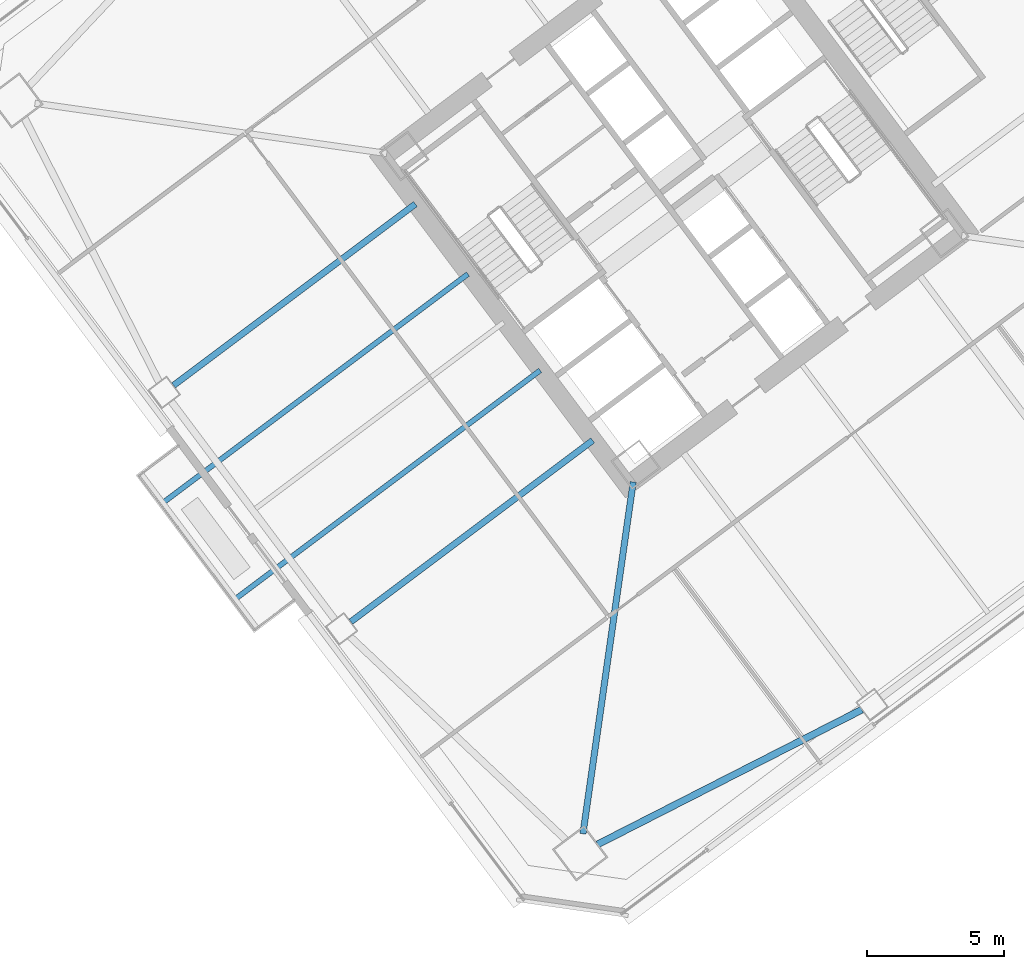
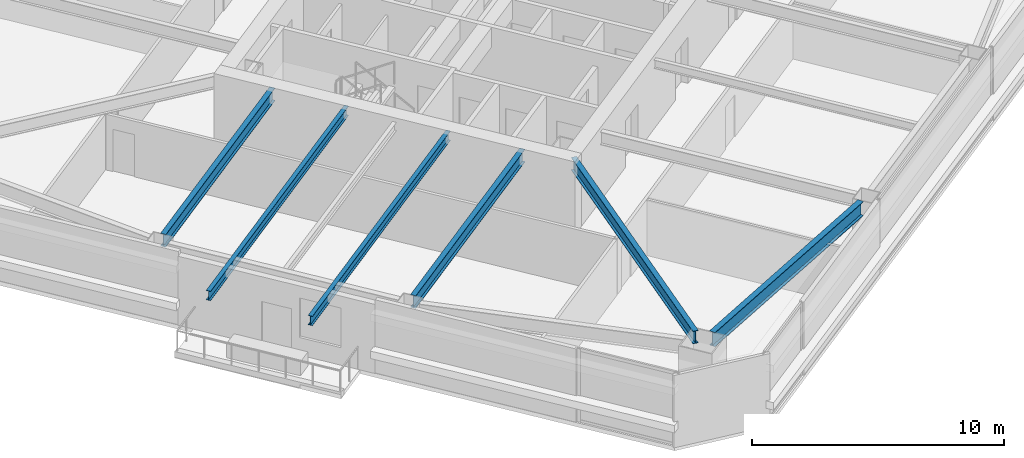
# One storey, part 18 of 44: 6 beams.
"""IFC4 building model written with IfcOpenShell, lengths in metres."""

from ifc_helpers import new_model, si_unit, direction, frame, origin, origin_2d, place, context, subcontext, project, spatial, i_section, extrude, material, material_profile, profile_set, type_object, element, save


model = new_model("IFC4")

# Units and contexts
model_context = context("Model", 3, precision=1e-05, world=origin(), true_north=direction((0.0, 1.0)))
body_context = subcontext(model_context, "Body", "Model", "MODEL_VIEW")
ifc_project = project(units=[si_unit("LENGTHUNIT", "METRE"), si_unit("AREAUNIT", "SQUARE_METRE"), si_unit("VOLUMEUNIT", "CUBIC_METRE"), si_unit("PLANEANGLEUNIT", "RADIAN"), si_unit("MASSUNIT", "GRAM", prefix="KILO")], contexts=[model_context])

# Site, building, storey
site_placement = place(None, origin())
site = spatial("IfcSite", under=ifc_project, at=site_placement, CompositionType="ELEMENT")
building_placement = place(site_placement, origin())
building = spatial("IfcBuilding", under=site, at=building_placement, Name="Tashvorn Skyway Center", CompositionType="ELEMENT")
storey_placement = place(building_placement, frame((0.0, 0.0, 84.949951171875)))
storey = spatial("IfcBuildingStorey", under=building, at=storey_placement, Name="L22", CompositionType="ELEMENT", Elevation=84.949951171875)

# Beams
ifc_material = material(Name="Steel ASTM A992 Grade 50", Category="steel")
ifc_material_profile_1 = material_profile(ifc_material, i_section(OverallWidth=0.22998046875, OverallDepth=0.616943359375, WebThickness=0.01318359375, FlangeThickness=0.022216796875, at=origin_2d()), Name="W24X94")
ifc_profile_set_1 = profile_set([ifc_material_profile_1], Name="Steel ASTM A992 Grade 50")
beam_type_1 = type_object("IfcBeamType", Name="BM-BEAM-W24X94", PredefinedType="BEAM", material=ifc_profile_set_1)
beam_1_placement = place(storey_placement, frame((110.661865234375, 8.6328125, 3.04150390625), z_axis=(0.141418724841, 0.989949869571, 0.0), x_axis=(-0.989949869571, 0.141418724841, 0.0)))
element("IfcBeam", 1, at=beam_1_placement, inside=storey, type_object=beam_type_1, Name="Tower 2 L22 Primary Floor Girder MC-SW", PredefinedType="BEAM", context=body_context, shape_type="SweptSolid", body=[
    extrude(i_section(OverallWidth=0.22998046875, OverallDepth=0.616943359375, WebThickness=0.01318359375, FlangeThickness=0.022216796875, at=origin_2d()), origin(), (0.0, 0.0, 1.0), 12.9892578125),
])
for number, where, z_axis, x_axis, name in (
    (2, (95.696044921875, 25.02197265625, 3.04150390625), (0.799989394625, 0.60001414024, 0.0), (-0.60001414024, 0.799989394625, 0.0), "Tower 2 L22 Primary Floor Girder FC-W1"),
    (3, (102.176025390625, 16.382080078125, 3.04150390625), (0.800007953832, 0.599989394744, 0.0), (-0.599989394744, 0.800007953832, 0.0), "Tower 2 L22 Primary Floor Girder FC-W2"),
):
    element("IfcBeam", number, at=place(storey_placement, frame(where, z_axis=z_axis, x_axis=x_axis)), inside=storey, type_object=beam_type_1, Name=name, PredefinedType="BEAM", context=body_context, shape_type="SweptSolid", body=[
        extrude(i_section(OverallWidth=0.22998046875, OverallDepth=0.616943359375, WebThickness=0.01318359375, FlangeThickness=0.022216796875, at=origin_2d()), origin(), (0.0, 0.0, 1.0), 11.050048828125),
    ])
ifc_material_profile_2 = material_profile(ifc_material, i_section(OverallWidth=0.19091796875, OverallDepth=0.4599609375, WebThickness=0.010009765625, FlangeThickness=0.01611328125, at=origin_2d()), Name="W18X55")
ifc_profile_set_2 = profile_set([ifc_material_profile_2], Name="Steel ASTM A992 Grade 50")
beam_type_2 = type_object("IfcBeamType", Name="BM-JOIST-W18X55", PredefinedType="JOIST", material=ifc_profile_set_2)
for number, where, z_axis, x_axis, name in (
    (4, (109.095947265625, 25.572021484375, 3.1201171875), (-0.799997902878, -0.600002796153, 0.0), (0.600002796153, -0.799997902878, 0.0), "Tower 2 L23 Terrace Cantilever Outlooker 1"),
    (5, (106.4560546875, 29.092041015625, 3.1201171875), (-0.799997902878, -0.600002796153, 0.0), (0.600002796153, -0.799997902878, 0.0), "Tower 2 L23 Terrace Cantilever Outlooker 2"),
):
    element("IfcBeam", number, at=place(storey_placement, frame(where, z_axis=z_axis, x_axis=x_axis)), inside=storey, type_object=beam_type_2, Name=name, PredefinedType="JOIST", context=body_context, shape_type="SweptSolid", body=[
        extrude(i_section(OverallWidth=0.19091796875, OverallDepth=0.4599609375, WebThickness=0.010009765625, FlangeThickness=0.01611328125, at=origin_2d()), origin(), (0.0, 0.0, 1.0), 13.969970703125),
    ])
ifc_material_profile_3 = material_profile(ifc_material, i_section(OverallWidth=0.256103515625, OverallDepth=0.693115234375, WebThickness=0.014404296875, FlangeThickness=0.023681640625, at=origin_2d()), Name="W27X114")
ifc_profile_set_3 = profile_set([ifc_material_profile_3], Name="Steel ASTM A992 Grade 50")
beam_type_3 = type_object("IfcBeamType", Name="BM-SPANDREL-W27X114", PredefinedType="SPANDREL", material=ifc_profile_set_3)
beam_2_placement = place(storey_placement, frame((111.201416015625, 8.2470703125, 3.003662109375), z_axis=(0.890894170442, 0.454210938961, 0.0), x_axis=(-0.454210938961, 0.890894170442, 0.0)))
element("IfcBeam", 6, at=beam_2_placement, inside=storey, type_object=beam_type_3, Name="Tower 2 L22 Spandrel Beam 01", PredefinedType="SPANDREL", context=body_context, shape_type="SweptSolid", body=[
    extrude(i_section(OverallWidth=0.256103515625, OverallDepth=0.693115234375, WebThickness=0.014404296875, FlangeThickness=0.023681640625, at=origin_2d()), origin(), (0.0, 0.0, 1.0), 10.836669921875),
])

save(model, "model.ifc")
